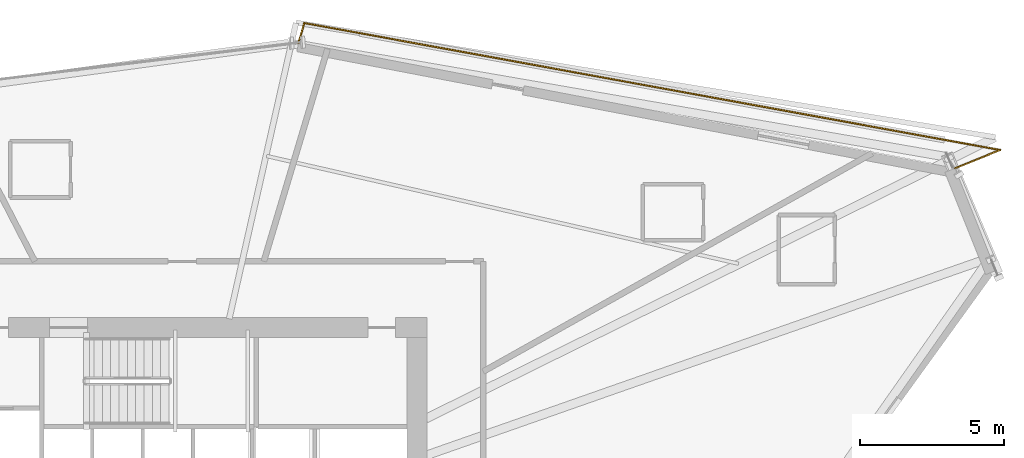
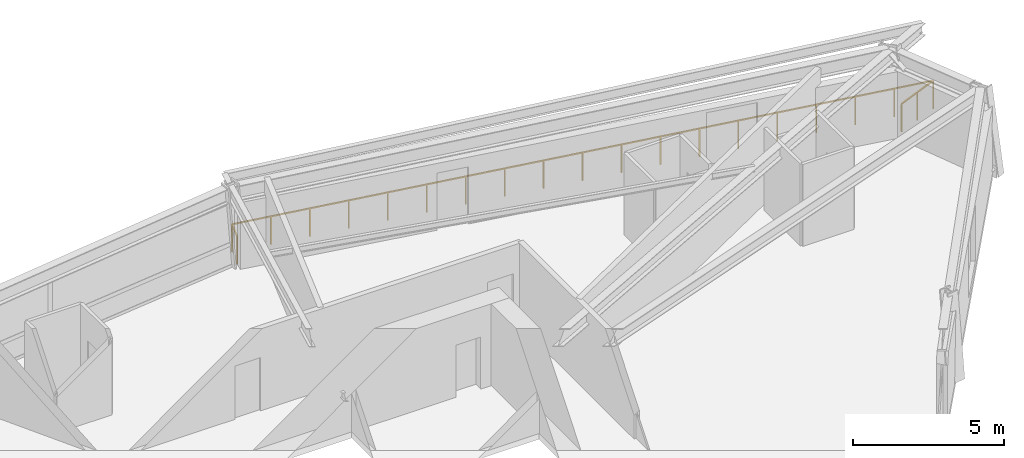
# One storey, part 18 of 18: 1 railing.
"""IFC4 building model written with IfcOpenShell, lengths in metres."""

from ifc_helpers import new_model, si_unit, direction, frame, origin, origin_2d, place, context, subcontext, project, spatial, rectangle, extrude, material, type_object, element, save


model = new_model("IFC4")

# Units and contexts
model_context = context("Model", 3, precision=1e-05, world=origin(), true_north=direction((0.0, 1.0)))
body_context = subcontext(model_context, "Body", "Model", "MODEL_VIEW")
ifc_project = project(units=[si_unit("LENGTHUNIT", "METRE"), si_unit("AREAUNIT", "SQUARE_METRE"), si_unit("VOLUMEUNIT", "CUBIC_METRE"), si_unit("PLANEANGLEUNIT", "RADIAN"), si_unit("MASSUNIT", "GRAM", prefix="KILO")], contexts=[model_context])

# Site, building, storey
site_placement = place(None, origin())
site = spatial("IfcSite", under=ifc_project, at=site_placement, CompositionType="ELEMENT")
building_placement = place(site_placement, origin())
building = spatial("IfcBuilding", under=site, at=building_placement, Name="Olszyna Solenne Hotel", CompositionType="ELEMENT")
storey_placement = place(building_placement, frame((0.0, 0.0, 123.449951171875)))
storey = spatial("IfcBuildingStorey", under=building, at=storey_placement, Name="L32", CompositionType="ELEMENT", Elevation=123.449951171875)

# Railing
ifc_material = material(Name="Anodised bronze aluminium", Category="aluminium")
railing_type = type_object("IfcRailingType", Name="GR-110", PredefinedType="BALUSTRADE", material=ifc_material)
railing_placement = place(storey_placement, frame((64.94580078125, 39.584716796875, 0.0)))
element("IfcRailing", 1, at=railing_placement, inside=storey, type_object=railing_type, Name="Loggia balcony balustrade guard GR-L32-LG1", PredefinedType="BALUSTRADE", context=body_context, shape_type="SweptSolid", body=[
    extrude(rectangle(XDim=0.048095703125, YDim=0.048095703125, at=origin_2d()), frame((0.0, 0.0, 1.1259765625), z_axis=(0.927076992807, 0.374870977014, 0.0), x_axis=(-0.374870977014, 0.927076992807, 0.0)), (0.0, 0.0, 1.0), 1.69189453125),
    extrude(rectangle(XDim=0.048095703125, YDim=0.048095703125, at=origin_2d()), frame((1.568603515625, 0.63427734375, 1.1259765625), z_axis=(-0.983752434942, 0.179530350483, 0.0), x_axis=(-0.179530350483, -0.983752434942, 0.0)), (0.0, 0.0, 1.0), 24.583984375),
    extrude(rectangle(XDim=0.048095703125, YDim=0.048095703125, at=origin_2d()), frame((-22.615966796875, 5.0478515625, 1.1259765625), z_axis=(-0.279444917779, -0.960161724881, 0.0), x_axis=(0.960161724881, -0.279444917779, 0.0)), (0.0, 0.0, 1.0), 0.70947265625),
    extrude(rectangle(XDim=0.0419921875, YDim=0.0419921875, at=origin_2d()), origin(), (0.0, 0.0, 1.0), 1.101806640625),
    extrude(rectangle(XDim=0.0419921875, YDim=0.0419921875, at=origin_2d()), frame((0.7841796875, 0.317138671875, 0.0)), (0.0, 0.0, 1.0), 1.101806640625),
    extrude(rectangle(XDim=0.0419921875, YDim=0.0419921875, at=origin_2d()), frame((1.568603515625, 0.63427734375, 0.0)), (0.0, 0.0, 1.0), 1.101806640625),
    extrude(rectangle(XDim=0.0419921875, YDim=0.0419921875, at=origin_2d()), frame((0.22509765625, 0.87939453125, 0.0)), (0.0, 0.0, 1.0), 1.101806640625),
    extrude(rectangle(XDim=0.0419921875, YDim=0.0419921875, at=origin_2d()), frame((-1.11865234375, 1.124755859375, 0.0)), (0.0, 0.0, 1.0), 1.101806640625),
    extrude(rectangle(XDim=0.0419921875, YDim=0.0419921875, at=origin_2d()), frame((-2.462158203125, 1.369873046875, 0.0)), (0.0, 0.0, 1.0), 1.101806640625),
    extrude(rectangle(XDim=0.0419921875, YDim=0.0419921875, at=origin_2d()), frame((-3.8056640625, 1.614990234375, 0.0)), (0.0, 0.0, 1.0), 1.101806640625),
    extrude(rectangle(XDim=0.0419921875, YDim=0.0419921875, at=origin_2d()), frame((-5.1494140625, 1.8603515625, 0.0)), (0.0, 0.0, 1.0), 1.101806640625),
    extrude(rectangle(XDim=0.0419921875, YDim=0.0419921875, at=origin_2d()), frame((-6.492919921875, 2.10546875, 0.0)), (0.0, 0.0, 1.0), 1.101806640625),
    extrude(rectangle(XDim=0.0419921875, YDim=0.0419921875, at=origin_2d()), frame((-7.83642578125, 2.3505859375, 0.0)), (0.0, 0.0, 1.0), 1.101806640625),
    extrude(rectangle(XDim=0.0419921875, YDim=0.0419921875, at=origin_2d()), frame((-9.18017578125, 2.595947265625, 0.0)), (0.0, 0.0, 1.0), 1.101806640625),
    extrude(rectangle(XDim=0.0419921875, YDim=0.0419921875, at=origin_2d()), frame((-10.523681640625, 2.841064453125, 0.0)), (0.0, 0.0, 1.0), 1.101806640625),
    extrude(rectangle(XDim=0.0419921875, YDim=0.0419921875, at=origin_2d()), frame((-11.8671875, 3.086181640625, 0.0)), (0.0, 0.0, 1.0), 1.101806640625),
    extrude(rectangle(XDim=0.0419921875, YDim=0.0419921875, at=origin_2d()), frame((-13.2109375, 3.33154296875, 0.0)), (0.0, 0.0, 1.0), 1.101806640625),
    extrude(rectangle(XDim=0.0419921875, YDim=0.0419921875, at=origin_2d()), frame((-14.554443359375, 3.57666015625, 0.0)), (0.0, 0.0, 1.0), 1.101806640625),
    extrude(rectangle(XDim=0.0419921875, YDim=0.0419921875, at=origin_2d()), frame((-15.89794921875, 3.82177734375, 0.0)), (0.0, 0.0, 1.0), 1.101806640625),
    extrude(rectangle(XDim=0.0419921875, YDim=0.0419921875, at=origin_2d()), frame((-17.24169921875, 4.067138671875, 0.0)), (0.0, 0.0, 1.0), 1.101806640625),
    extrude(rectangle(XDim=0.0419921875, YDim=0.0419921875, at=origin_2d()), frame((-18.585205078125, 4.312255859375, 0.0)), (0.0, 0.0, 1.0), 1.101806640625),
    extrude(rectangle(XDim=0.0419921875, YDim=0.0419921875, at=origin_2d()), frame((-19.9287109375, 4.557373046875, 0.0)), (0.0, 0.0, 1.0), 1.101806640625),
    extrude(rectangle(XDim=0.0419921875, YDim=0.0419921875, at=origin_2d()), frame((-21.2724609375, 4.802734375, 0.0)), (0.0, 0.0, 1.0), 1.101806640625),
    extrude(rectangle(XDim=0.0419921875, YDim=0.0419921875, at=origin_2d()), frame((-22.615966796875, 5.0478515625, 0.0)), (0.0, 0.0, 1.0), 1.101806640625),
    extrude(rectangle(XDim=0.0419921875, YDim=0.0419921875, at=origin_2d()), frame((-22.814208984375, 4.36669921875, 0.0)), (0.0, 0.0, 1.0), 1.101806640625),
])

save(model, "model.ifc")
